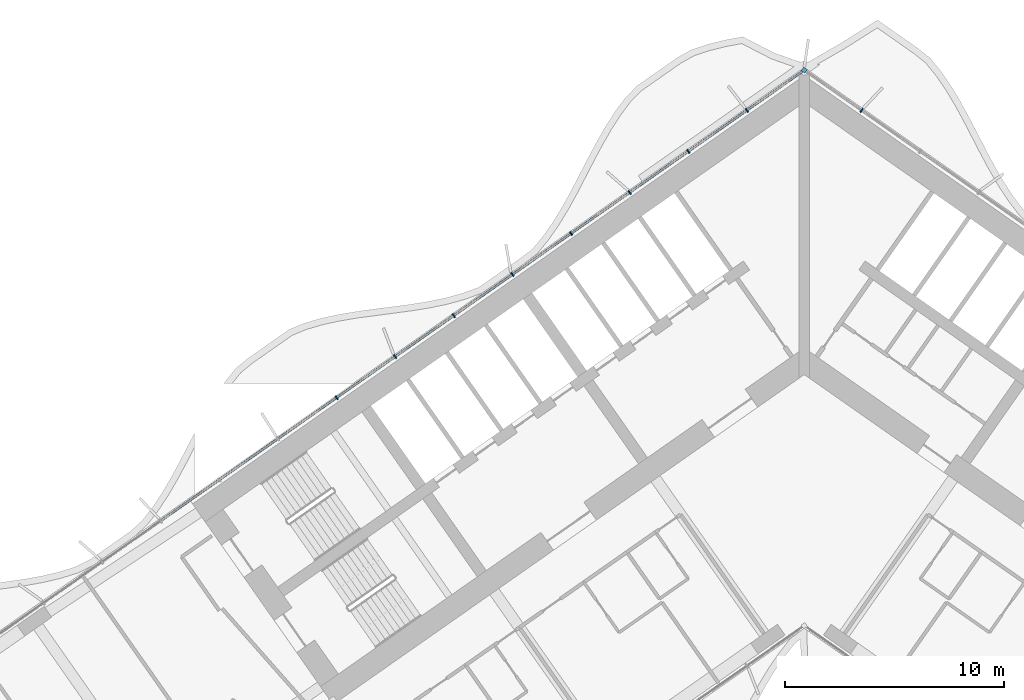
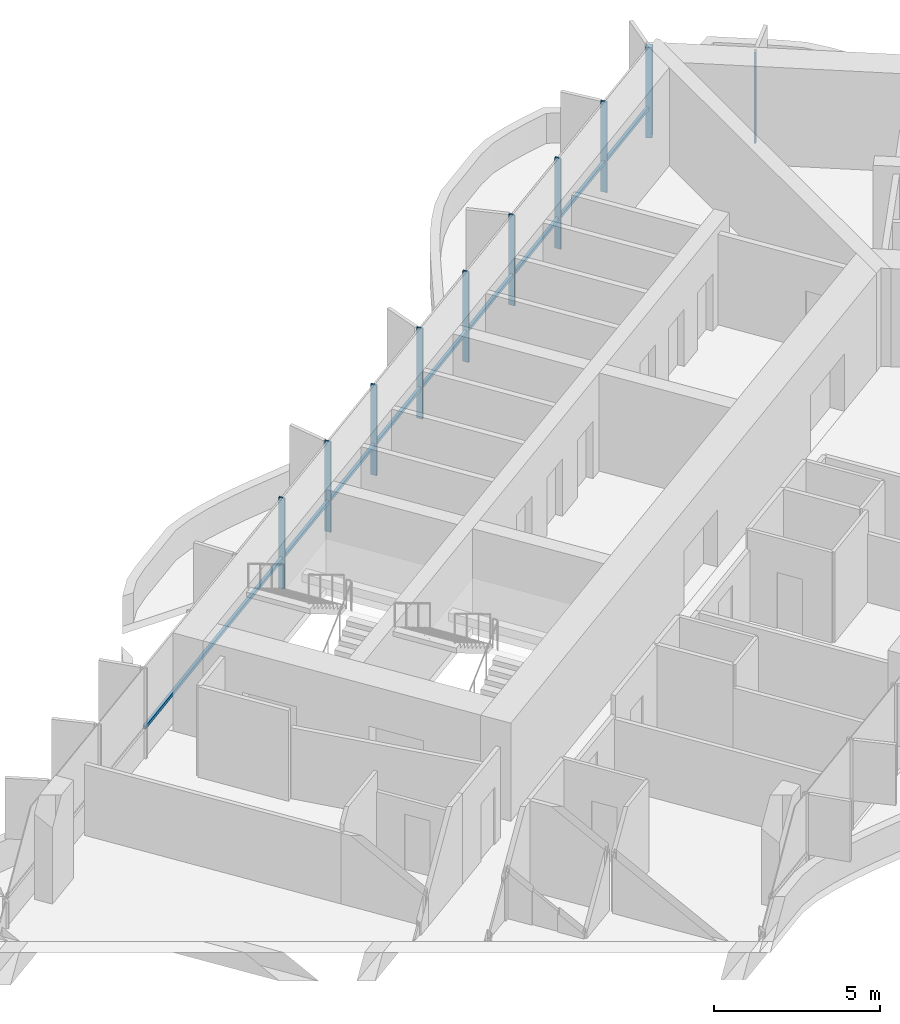
# One storey, part 7 of 25: 11 members, 1 element without a shape of its own.
"""IFC4 building model written with IfcOpenShell, lengths in metres."""

from ifc_helpers import new_model, si_unit, direction, frame, origin, origin_2d, place, context, subcontext, project, spatial, rectangle, extrude, material, material_profile, profile_set, type_object, element, aggregate, save


model = new_model("IFC4")

# Units and contexts
model_context = context("Model", 3, precision=1e-05, world=origin(), true_north=direction((0.0, 1.0)))
body_context = subcontext(model_context, "Body", "Model", "MODEL_VIEW")
ifc_project = project(units=[si_unit("LENGTHUNIT", "METRE"), si_unit("AREAUNIT", "SQUARE_METRE"), si_unit("VOLUMEUNIT", "CUBIC_METRE"), si_unit("PLANEANGLEUNIT", "RADIAN"), si_unit("MASSUNIT", "GRAM", prefix="KILO")], contexts=[model_context])

# Site, building, storey
site_placement = place(None, origin())
site = spatial("IfcSite", under=ifc_project, at=site_placement, CompositionType="ELEMENT")
building_placement = place(site_placement, origin())
building = spatial("IfcBuilding", under=site, at=building_placement, Name="Tel Ilan Convention Tower", CompositionType="ELEMENT")
storey_placement = place(building_placement, frame((0.0, 0.0, 61.699951171875)))
storey = spatial("IfcBuildingStorey", under=building, at=storey_placement, Name="L10", CompositionType="ELEMENT", Elevation=61.699951171875)

# Curtain wall, members
ifc_material_1 = material(Name="Aluminium, bronze anodised", Category="aluminium")
curtain_wall_type = type_object("IfcCurtainWallType", Name="CW2 STICK CURTAIN WALL, SPANDREL PANELS", PredefinedType="NOTDEFINED", material=ifc_material_1)
curtain_wall_placement = place(storey_placement, origin())
curtain_wall = element("IfcCurtainWall", 1, at=curtain_wall_placement, inside=storey, type_object=curtain_wall_type, Name="Curtain wall CW2-11.01", PredefinedType="NOTDEFINED")
ifc_material_2 = material(Name="Aluminium, bronze anodised", Category="aluminium")
ifc_material_profile_1 = material_profile(ifc_material_2, rectangle(XDim=0.199951171875, YDim=0.199951171875, at=origin_2d()), Name="CW CORNER MULLION 200x200")
ifc_profile_set_1 = profile_set([ifc_material_profile_1], Name="Aluminium, bronze anodised")
member_type_1 = type_object("IfcMemberType", Name="CW CORNER MULLION 200x200", PredefinedType="MULLION", material=ifc_profile_set_1)
member_1_placement = place(storey_placement, frame((0.0, 12.696044921875, 0.0), z_axis=(0.0, 0.0, 1.0), x_axis=(-0.819152044289, 0.573576436351, 0.0)))
member_1 = element("IfcMember", 2, at=member_1_placement, type_object=member_type_1, Name="Corner mullion", PredefinedType="MULLION", context=body_context, shape_type="SweptSolid", body=[
    extrude(rectangle(XDim=0.199951171875, YDim=0.199951171875, at=origin_2d()), origin(), (0.0, 0.0, 1.0), 3.320068359375),
])
ifc_material_3 = material(Name="Aluminium, bronze anodised", Category="aluminium")
ifc_material_profile_2 = material_profile(ifc_material_3, rectangle(XDim=0.06005859375, YDim=0.199951171875, at=origin_2d()), Name="CW MULLION 60x200")
ifc_profile_set_2 = profile_set([ifc_material_profile_2], Name="Aluminium, bronze anodised")
member_type_2 = type_object("IfcMemberType", Name="CW MULLION 60x200", PredefinedType="MULLION", material=ifc_profile_set_2)
member_2_placement = place(storey_placement, frame((2.622802734375, 10.859375, 0.0), z_axis=(0.0, 0.0, 1.0), x_axis=(-0.819152044289, 0.573576436351, 0.0)))
member_2 = element("IfcMember", 3, at=member_2_placement, type_object=member_type_2, Name="Mullion", PredefinedType="MULLION", context=body_context, shape_type="SweptSolid", body=[
    extrude(rectangle(XDim=0.06005859375, YDim=0.199951171875, at=origin_2d()), origin(), (0.0, 0.0, 1.0), 3.320068359375),
])
member_3_placement = place(storey_placement, frame((-2.622802734375, 10.859375, 0.0), z_axis=(0.0, 0.0, 1.0), x_axis=(-0.819152044289, -0.573576436351, 0.0)))
member_3 = element("IfcMember", 4, at=member_3_placement, type_object=member_type_2, Name="Mullion", PredefinedType="MULLION", context=body_context, shape_type="SweptSolid", body=[
    extrude(rectangle(XDim=0.06005859375, YDim=0.199951171875, at=origin_2d()), origin(), (0.0, 0.0, 1.0), 3.320068359375),
])
member_4_placement = place(storey_placement, frame((-5.30322265625, 8.982666015625, 0.0), z_axis=(0.0, 0.0, 1.0), x_axis=(-0.819152044289, -0.573576436351, 0.0)))
member_4 = element("IfcMember", 5, at=member_4_placement, type_object=member_type_2, Name="Mullion", PredefinedType="MULLION", context=body_context, shape_type="SweptSolid", body=[
    extrude(rectangle(XDim=0.06005859375, YDim=0.199951171875, at=origin_2d()), origin(), (0.0, 0.0, 1.0), 3.320068359375),
])
member_5_placement = place(storey_placement, frame((-7.9833984375, 7.10595703125, 0.0), z_axis=(0.0, 0.0, 1.0), x_axis=(-0.819152044289, -0.573576436351, 0.0)))
member_5 = element("IfcMember", 6, at=member_5_placement, type_object=member_type_2, Name="Mullion", PredefinedType="MULLION", context=body_context, shape_type="SweptSolid", body=[
    extrude(rectangle(XDim=0.06005859375, YDim=0.199951171875, at=origin_2d()), origin(), (0.0, 0.0, 1.0), 3.320068359375),
])
member_6_placement = place(storey_placement, frame((-10.663818359375, 5.229248046875, 0.0), z_axis=(0.0, 0.0, 1.0), x_axis=(-0.819152044289, -0.573576436351, 0.0)))
member_6 = element("IfcMember", 7, at=member_6_placement, type_object=member_type_2, Name="Mullion", PredefinedType="MULLION", context=body_context, shape_type="SweptSolid", body=[
    extrude(rectangle(XDim=0.06005859375, YDim=0.199951171875, at=origin_2d()), origin(), (0.0, 0.0, 1.0), 3.320068359375),
])
member_7_placement = place(storey_placement, frame((-13.343994140625, 3.3525390625, 0.0), z_axis=(0.0, 0.0, 1.0), x_axis=(-0.819152044289, -0.573576436351, 0.0)))
member_7 = element("IfcMember", 8, at=member_7_placement, type_object=member_type_2, Name="Mullion", PredefinedType="MULLION", context=body_context, shape_type="SweptSolid", body=[
    extrude(rectangle(XDim=0.06005859375, YDim=0.199951171875, at=origin_2d()), origin(), (0.0, 0.0, 1.0), 3.320068359375),
])
member_8_placement = place(storey_placement, frame((-16.024169921875, 1.475830078125, 0.0), z_axis=(0.0, 0.0, 1.0), x_axis=(-0.819152044289, -0.573576436351, 0.0)))
member_8 = element("IfcMember", 9, at=member_8_placement, type_object=member_type_2, Name="Mullion", PredefinedType="MULLION", context=body_context, shape_type="SweptSolid", body=[
    extrude(rectangle(XDim=0.06005859375, YDim=0.199951171875, at=origin_2d()), origin(), (0.0, 0.0, 1.0), 3.320068359375),
])
member_9_placement = place(storey_placement, frame((-18.70458984375, -0.401123046875, 0.0), z_axis=(0.0, 0.0, 1.0), x_axis=(-0.819152044289, -0.573576436351, 0.0)))
member_9 = element("IfcMember", 10, at=member_9_placement, type_object=member_type_2, Name="Mullion", PredefinedType="MULLION", context=body_context, shape_type="SweptSolid", body=[
    extrude(rectangle(XDim=0.06005859375, YDim=0.199951171875, at=origin_2d()), origin(), (0.0, 0.0, 1.0), 3.320068359375),
])
member_10_placement = place(storey_placement, frame((-21.384765625, -2.27783203125, 0.0), z_axis=(0.0, 0.0, 1.0), x_axis=(-0.819152044289, -0.573576436351, 0.0)))
member_10 = element("IfcMember", 11, at=member_10_placement, type_object=member_type_2, Name="Mullion", PredefinedType="MULLION", context=body_context, shape_type="SweptSolid", body=[
    extrude(rectangle(XDim=0.06005859375, YDim=0.199951171875, at=origin_2d()), origin(), (0.0, 0.0, 1.0), 3.320068359375),
])
ifc_material_4 = material(Name="Aluminium, bronze anodised", Category="aluminium")
ifc_material_profile_3 = material_profile(ifc_material_4, rectangle(XDim=0.10009765625, YDim=0.1201171875, at=origin_2d()), Name="CW TRANSOM 100x120")
ifc_profile_set_3 = profile_set([ifc_material_profile_3], Name="Aluminium, bronze anodised")
member_type_3 = type_object("IfcMemberType", Name="CW TRANSOM 100x120", PredefinedType="USERDEFINED", material=ifc_profile_set_3)
member_11_placement = place(storey_placement, frame((-0.1064453125, 12.62158203125, 1.10009765625), z_axis=(-0.81915076999, -0.573578256234, 0.0), x_axis=(0.573578256234, -0.81915076999, 0.0)))
member_11 = element("IfcMember", 12, at=member_11_placement, type_object=member_type_3, Name="Transom", ObjectType="TRANSOM", PredefinedType="USERDEFINED", context=body_context, shape_type="SweptSolid", body=[
    extrude(rectangle(XDim=0.10009765625, YDim=0.1201171875, at=origin_2d()), origin(), (0.0, 0.0, 1.0), 35.76220703125),
])
aggregate(curtain_wall, [member_2, member_1, member_3, member_4, member_5, member_6, member_7, member_8, member_9, member_10, member_11])

save(model, "model.ifc")
